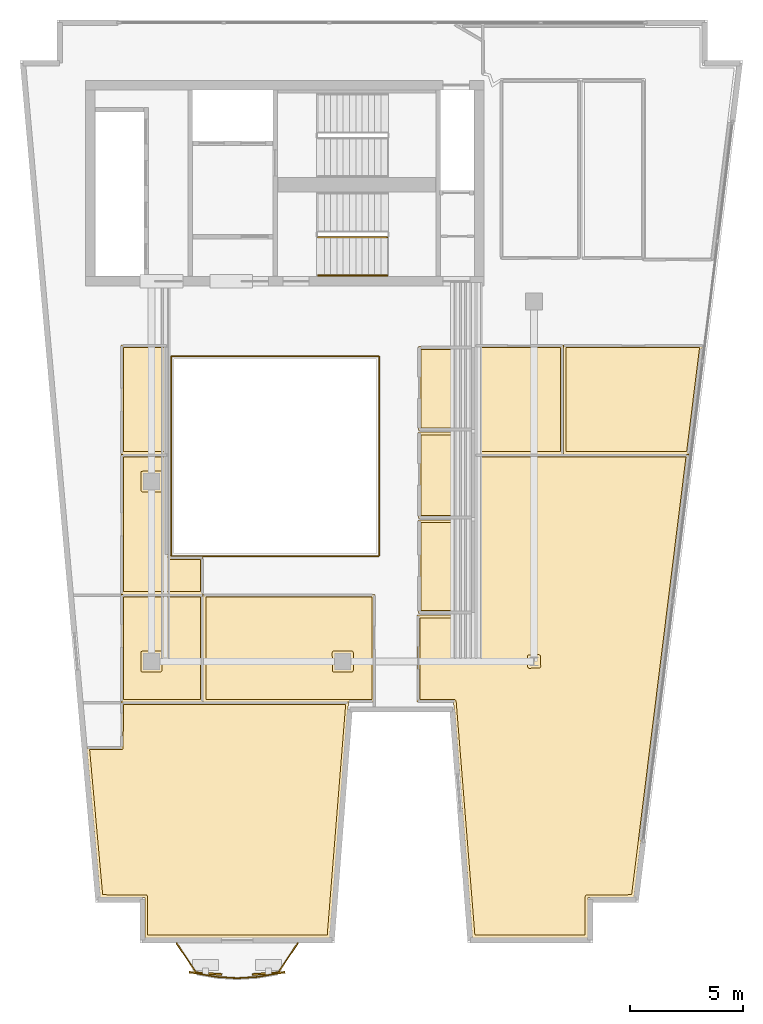
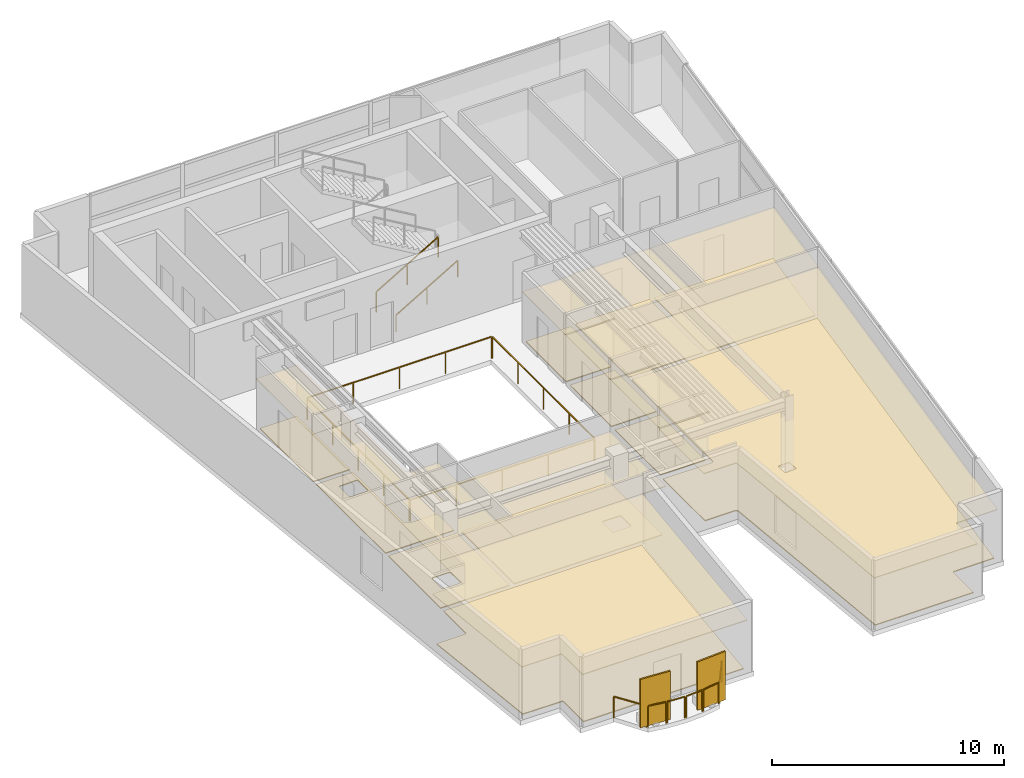
# One storey, part 7 of 8: 22 coverings, 12 railings, 2 shading devices.
"""IFC4 building model written with IfcOpenShell, lengths in metres."""

from ifc_helpers import new_model, si_unit, direction, frame, origin, origin_2d, place, context, subcontext, project, spatial, polyline, rectangle, outline, extrude, material, layer, layer_set, type_object, element, save


model = new_model("IFC4")

# Units and contexts
model_context = context("Model", 3, precision=1e-05, world=origin(), true_north=direction((0.0, 1.0)))
body_context = subcontext(model_context, "Body", "Model", "MODEL_VIEW")
ifc_project = project(units=[si_unit("LENGTHUNIT", "METRE"), si_unit("AREAUNIT", "SQUARE_METRE"), si_unit("VOLUMEUNIT", "CUBIC_METRE"), si_unit("PLANEANGLEUNIT", "RADIAN"), si_unit("MASSUNIT", "GRAM", prefix="KILO")], contexts=[model_context])

# Site, building, storey
site_placement = place(None, origin())
site = spatial("IfcSite", under=ifc_project, at=site_placement, CompositionType="ELEMENT")
building_placement = place(site_placement, origin())
building = spatial("IfcBuilding", under=site, at=building_placement, Name="Caeloran Harvest Quay", CompositionType="ELEMENT")
storey_placement = place(building_placement, frame((0.0, 0.0, 272.5)))
storey = spatial("IfcBuildingStorey", under=building, at=storey_placement, Name="L65", CompositionType="ELEMENT", Elevation=272.5)

# Coverings
ifc_material_1 = material(Name="Perforated Mineral-Fibre Acoustic Ceiling Tile", Category="ceiling")
ifc_layer_1 = layer(ifc_material_1, 0.0400390625, Name="Perforated Mineral-Fibre Acoustic Ceiling Tile")
ifc_layer_set_1 = layer_set([ifc_layer_1], Name="Perforated Mineral-Fibre Acoustic Ceiling Tile")
covering_type_1 = type_object("IfcCoveringType", Name="COV-CEILING-ACOUSTIC", PredefinedType="CEILING", material=ifc_layer_set_1)
covering_1_placement = place(storey_placement, frame((0.0, 0.0, 2.60009765625)))
element("IfcCovering", 1, at=covering_1_placement, inside=storey, type_object=covering_type_1, Name="L65 Male Washroom WC Acoustic Ceiling", PredefinedType="CEILING", context=body_context, shape_type="SweptSolid", body=[
    extrude(outline(polyline([(22.840087890625, 28.989990234375), (22.840087890625, 25.260009765625), (20.360107421875, 25.260009765625), (20.360107421875, 28.989990234375), (22.840087890625, 28.989990234375)])), origin(), (0.0, 0.0, 1.0), 0.039794921875),
])
covering_2_placement = place(storey_placement, frame((0.0, 0.0, 2.60009765625)))
element("IfcCovering", 2, at=covering_2_placement, inside=storey, type_object=covering_type_1, Name="L65 Female Washroom WC Acoustic Ceiling", PredefinedType="CEILING", context=body_context, shape_type="SweptSolid", body=[
    extrude(outline(polyline([(22.840087890625, 25.18994140625), (22.840087890625, 21.360107421875), (20.360107421875, 21.360107421875), (20.360107421875, 25.18994140625), (22.840087890625, 25.18994140625)])), origin(), (0.0, 0.0, 1.0), 0.039794921875),
])
covering_3_placement = place(storey_placement, frame((0.0, 0.0, 2.60009765625)))
element("IfcCovering", 3, at=covering_3_placement, inside=storey, type_object=covering_type_1, Name="L65 Accessible Unisex Washroom WC Acoustic Ceiling", PredefinedType="CEILING", context=body_context, shape_type="SweptSolid", body=[
    extrude(outline(polyline([(22.840087890625, 21.2900390625), (22.840087890625, 17.139892578125), (20.360107421875, 17.139892578125), (20.360107421875, 21.2900390625), (22.840087890625, 21.2900390625)])), origin(), (0.0, 0.0, 1.0), 0.039794921875),
])
covering_4_placement = place(storey_placement, frame((0.0, 0.0, 2.60009765625)))
element("IfcCovering", 4, at=covering_4_placement, inside=storey, type_object=covering_type_1, Name="Climate Diplomacy Seminar Hall Acoustic Ceiling", PredefinedType="CEILING", context=body_context, shape_type="SweptSolid", body=[
    extrude(outline(polyline([(17.259033203125, 13.199951171875), (16.4208984375, 2.719970703125), (8.20556640625, 2.719970703125), (8.20556640625, 4.52001953125), (6.224853515625, 4.52001953125), (5.623291015625, 11.2099609375), (7.139892578125, 11.2099609375), (7.139892578125, 13.199951171875), (17.259033203125, 13.199951171875)])), origin(), (0.0, 0.0, 1.0), 0.039794921875),
])
covering_5_placement = place(storey_placement, frame((0.0, 0.0, 2.60009765625)))
element("IfcCovering", 5, at=covering_5_placement, inside=storey, type_object=covering_type_1, Name="International Policy Conference Room Acoustic Ceiling", PredefinedType="CEILING", context=body_context, shape_type="SweptSolid", body=[
    extrude(outline(polyline([(29.939453125, 4.52001953125), (27.890380859375, 4.52001953125), (27.890380859375, 2.719970703125), (22.75927734375, 2.719970703125), (21.97509765625, 12.76611328125), (21.94873046875, 12.856201171875), (21.92138671875, 13.199951171875), (20.31005859375, 13.199951171875), (20.31005859375, 17.06005859375), (22.840087890625, 17.06005859375), (22.8701171875, 24.199951171875), (32.382568359375, 24.199951171875), (29.939453125, 4.52001953125)])), origin(), (0.0, 0.0, 1.0), 0.039794921875),
])
covering_6_placement = place(storey_placement, frame((0.0, 0.0, 2.60009765625)))
element("IfcCovering", 6, at=covering_6_placement, inside=storey, type_object=covering_type_1, Name="Translation Briefing Room Acoustic Ceiling", PredefinedType="CEILING", context=body_context, shape_type="SweptSolid", body=[
    extrude(outline(polyline([(7.139892578125, 17.97998046875), (10.800048828125, 17.97998046875), (10.800048828125, 13.199951171875), (7.139892578125, 13.199951171875), (7.139892578125, 17.97998046875)])), origin(), (0.0, 0.0, 1.0), 0.039794921875),
])
covering_7_placement = place(storey_placement, frame((0.0, 0.0, 2.60009765625)))
element("IfcCovering", 7, at=covering_7_placement, inside=storey, type_object=covering_type_1, Name="Treaty Archive Library Room Acoustic Ceiling", PredefinedType="CEILING", context=body_context, shape_type="SweptSolid", body=[
    extrude(outline(polyline([(18.429931640625, 13.199951171875), (10.800048828125, 13.199951171875), (10.800048828125, 17.97998046875), (18.429931640625, 17.97998046875), (18.429931640625, 13.199951171875)])), origin(), (0.0, 0.0, 1.0), 0.039794921875),
])
covering_8_placement = place(storey_placement, frame((0.0, 0.0, 2.60009765625)))
element("IfcCovering", 8, at=covering_8_placement, inside=storey, type_object=covering_type_1, Name="Delegation Dining Kitchen Acoustic Ceiling", PredefinedType="CEILING", context=body_context, shape_type="SweptSolid", body=[
    extrude(outline(polyline([(9.2099609375, 19.760009765625), (9.30517578125, 19.744384765625), (9.360107421875, 19.68359375), (9.360107421875, 19.659912109375), (10.800048828125, 19.659912109375), (10.800048828125, 17.97998046875), (7.139892578125, 17.97998046875), (7.139892578125, 24.199951171875), (9.2099609375, 24.199951171875), (9.2099609375, 19.760009765625)])), origin(), (0.0, 0.0, 1.0), 0.039794921875),
])
covering_9_placement = place(storey_placement, frame((0.0, 0.0, 2.60009765625)))
element("IfcCovering", 9, at=covering_9_placement, inside=storey, type_object=covering_type_1, Name="Diplomatic Catering Kitchen Acoustic Ceiling", PredefinedType="CEILING", context=body_context, shape_type="SweptSolid", body=[
    extrude(outline(polyline([(7.139892578125, 24.199951171875), (7.139892578125, 29.06005859375), (9.2099609375, 29.06005859375), (9.2099609375, 24.199951171875), (7.139892578125, 24.199951171875)])), origin(), (0.0, 0.0, 1.0), 0.039794921875),
])
covering_10_placement = place(storey_placement, frame((0.0, 0.0, 2.60009765625)))
element("IfcCovering", 10, at=covering_10_placement, inside=storey, type_object=covering_type_1, Name="Embassy Wellness Lounge Acoustic Ceiling", PredefinedType="CEILING", context=body_context, shape_type="SweptSolid", body=[
    extrude(outline(polyline([(22.8701171875, 24.199951171875), (22.8701171875, 29.06005859375), (26.800048828125, 29.06005859375), (26.800048828125, 24.199951171875), (22.8701171875, 24.199951171875)])), origin(), (0.0, 0.0, 1.0), 0.039794921875),
])
covering_11_placement = place(storey_placement, frame((0.0, 0.0, 2.60009765625)))
element("IfcCovering", 11, at=covering_11_placement, inside=storey, type_object=covering_type_1, Name="Climate Diplomacy Seminar Hall 8 Acoustic Ceiling", PredefinedType="CEILING", context=body_context, shape_type="SweptSolid", body=[
    extrude(outline(polyline([(26.800048828125, 29.06005859375), (32.98583984375, 29.06005859375), (32.382568359375, 24.199951171875), (26.800048828125, 24.199951171875), (26.800048828125, 29.06005859375)])), origin(), (0.0, 0.0, 1.0), 0.039794921875),
])
ifc_material_2 = material(Name="Calcium-Sulphate Raised Access Floor and Terrazzo Finish", Category="flooring")
ifc_layer_2 = layer(ifc_material_2, 0.050048828125, Name="Calcium-Sulphate Raised Access Floor and Terrazzo Finish")
ifc_layer_set_2 = layer_set([ifc_layer_2], Name="Calcium-Sulphate Raised Access Floor and Terrazzo Finish")
covering_type_2 = type_object("IfcCoveringType", Name="COV-FLOOR-RAISED", PredefinedType="FLOORING", material=ifc_layer_set_2)
covering_12_placement = place(storey_placement, origin())
element("IfcCovering", 12, at=covering_12_placement, inside=storey, type_object=covering_type_2, Name="L65 Male Washroom WC Raised Finish Flooring", PredefinedType="FLOORING", context=body_context, shape_type="SweptSolid", body=[
    extrude(outline(polyline([(22.719970703125, 28.8701171875), (22.719970703125, 25.3798828125), (20.47998046875, 25.3798828125), (20.47998046875, 28.8701171875), (22.719970703125, 28.8701171875)])), origin(), (0.0, 0.0, 1.0), 0.050048828125),
])
covering_13_placement = place(storey_placement, origin())
element("IfcCovering", 13, at=covering_13_placement, inside=storey, type_object=covering_type_2, Name="L65 Female Washroom WC Raised Finish Flooring", PredefinedType="FLOORING", context=body_context, shape_type="SweptSolid", body=[
    extrude(outline(polyline([(22.719970703125, 25.070068359375), (22.719970703125, 21.47998046875), (20.47998046875, 21.47998046875), (20.47998046875, 25.070068359375), (22.719970703125, 25.070068359375)])), origin(), (0.0, 0.0, 1.0), 0.050048828125),
])
covering_14_placement = place(storey_placement, origin())
element("IfcCovering", 14, at=covering_14_placement, inside=storey, type_object=covering_type_2, Name="L65 Accessible Unisex Washroom WC Raised Finish Flooring", PredefinedType="FLOORING", context=body_context, shape_type="SweptSolid", body=[
    extrude(outline(polyline([(22.719970703125, 21.169921875), (22.719970703125, 17.260009765625), (20.47998046875, 17.260009765625), (20.47998046875, 21.169921875), (22.719970703125, 21.169921875)])), origin(), (0.0, 0.0, 1.0), 0.050048828125),
])
covering_15_placement = place(storey_placement, origin())
element("IfcCovering", 15, at=covering_15_placement, inside=storey, type_object=covering_type_2, Name="Climate Diplomacy Seminar Hall Raised Finish Flooring", PredefinedType="FLOORING", context=body_context, shape_type="SweptSolid", body=[
    extrude(outline(polyline([(17.129150390625, 13.080078125), (16.31005859375, 2.840087890625), (8.325439453125, 2.840087890625), (8.325439453125, 4.56005859375), (8.29638671875, 4.621826171875), (6.33447265625, 4.639892578125), (5.754638671875, 11.090087890625), (7.179931640625, 11.090087890625), (7.24169921875, 11.119140625), (7.260009765625, 13.080078125), (17.129150390625, 13.080078125)])), origin(), (0.0, 0.0, 1.0), 0.050048828125),
])
covering_16_placement = place(storey_placement, origin())
element("IfcCovering", 16, at=covering_16_placement, inside=storey, type_object=covering_type_2, Name="International Policy Conference Room Raised Finish Flooring", PredefinedType="FLOORING", context=body_context, shape_type="SweptSolid", body=[
    extrude(outline(polyline([(32.24658203125, 24.080078125), (29.83349609375, 4.639892578125), (27.7998046875, 4.621826171875), (27.7705078125, 4.56005859375), (27.7705078125, 2.840087890625), (22.8701171875, 2.840087890625), (22.036865234375, 13.25439453125), (21.958251953125, 13.320068359375), (20.429931640625, 13.320068359375), (20.429931640625, 16.93994140625), (22.8798828125, 16.93994140625), (22.95654296875, 16.99658203125), (22.98974609375, 24.080078125), (32.24658203125, 24.080078125)]), holes=[polyline([(25.202392578125, 15.230712890625), (25.22021484375, 14.726318359375), (25.274169921875, 14.697509765625), (25.768798828125, 14.715087890625), (25.798095703125, 14.777099609375), (25.77978515625, 15.273681640625), (25.718017578125, 15.302978515625), (25.231201171875, 15.284912109375), (25.202392578125, 15.230712890625)])]), origin(), (0.0, 0.0, 1.0), 0.050048828125),
])
covering_17_placement = place(storey_placement, origin())
element("IfcCovering", 17, at=covering_17_placement, inside=storey, type_object=covering_type_2, Name="Translation Briefing Room Raised Finish Flooring", PredefinedType="FLOORING", context=body_context, shape_type="SweptSolid", body=[
    extrude(outline(polyline([(7.260009765625, 13.320068359375), (7.260009765625, 17.860107421875), (10.679931640625, 17.860107421875), (10.679931640625, 13.320068359375), (7.260009765625, 13.320068359375)]), holes=[polyline([(8.030029296875, 14.610107421875), (8.053466796875, 14.553466796875), (8.102294921875, 14.530517578125), (8.889892578125, 14.530029296875), (8.946533203125, 14.553466796875), (8.969970703125, 14.610107421875), (8.969970703125, 15.389892578125), (8.946533203125, 15.446533203125), (8.889892578125, 15.469970703125), (8.110107421875, 15.469970703125), (8.053466796875, 15.446533203125), (8.030029296875, 15.389892578125), (8.030029296875, 14.610107421875)])]), origin(), (0.0, 0.0, 1.0), 0.050048828125),
])
covering_18_placement = place(storey_placement, origin())
element("IfcCovering", 18, at=covering_18_placement, inside=storey, type_object=covering_type_2, Name="Treaty Archive Library Room Raised Finish Flooring", PredefinedType="FLOORING", context=body_context, shape_type="SweptSolid", body=[
    extrude(outline(polyline([(18.31005859375, 17.860107421875), (18.31005859375, 13.320068359375), (10.919921875, 13.320068359375), (10.919921875, 17.860107421875), (18.31005859375, 17.860107421875)]), holes=[polyline([(16.530029296875, 15.389892578125), (16.548095703125, 14.55908203125), (16.602294921875, 14.530517578125), (17.389892578125, 14.530029296875), (17.446533203125, 14.553466796875), (17.469970703125, 14.610107421875), (17.469970703125, 15.389892578125), (17.446533203125, 15.446533203125), (17.389892578125, 15.469970703125), (16.610107421875, 15.469970703125), (16.553466796875, 15.446533203125), (16.530029296875, 15.389892578125)])]), origin(), (0.0, 0.0, 1.0), 0.050048828125),
])
covering_19_placement = place(storey_placement, origin())
element("IfcCovering", 19, at=covering_19_placement, inside=storey, type_object=covering_type_2, Name="Delegation Dining Kitchen Raised Finish Flooring", PredefinedType="FLOORING", context=body_context, shape_type="SweptSolid", body=[
    extrude(outline(polyline([(9.237548828125, 19.639892578125), (9.275146484375, 19.569580078125), (9.343017578125, 19.540283203125), (10.679931640625, 19.5400390625), (10.679931640625, 18.10009765625), (7.260009765625, 18.10009765625), (7.260009765625, 24.080078125), (9.090087890625, 24.080078125), (9.090087890625, 19.74609375), (9.1357421875, 19.660888671875), (9.237548828125, 19.639892578125)]), holes=[polyline([(8.889892578125, 23.469970703125), (8.05908203125, 23.451904296875), (8.030517578125, 23.397705078125), (8.030029296875, 22.610107421875), (8.053466796875, 22.553466796875), (8.110107421875, 22.530029296875), (8.889892578125, 22.530029296875), (8.946533203125, 22.553466796875), (8.969970703125, 22.610107421875), (8.969970703125, 23.389892578125), (8.946533203125, 23.446533203125), (8.889892578125, 23.469970703125)])]), origin(), (0.0, 0.0, 1.0), 0.050048828125),
])
covering_20_placement = place(storey_placement, origin())
element("IfcCovering", 20, at=covering_20_placement, inside=storey, type_object=covering_type_2, Name="Diplomatic Catering Kitchen Raised Finish Flooring", PredefinedType="FLOORING", context=body_context, shape_type="SweptSolid", body=[
    extrude(outline(polyline([(7.260009765625, 24.320068359375), (7.260009765625, 28.93994140625), (9.090087890625, 28.93994140625), (9.090087890625, 24.320068359375), (7.260009765625, 24.320068359375)])), origin(), (0.0, 0.0, 1.0), 0.050048828125),
])
covering_21_placement = place(storey_placement, origin())
element("IfcCovering", 21, at=covering_21_placement, inside=storey, type_object=covering_type_2, Name="Embassy Wellness Lounge Raised Finish Flooring", PredefinedType="FLOORING", context=body_context, shape_type="SweptSolid", body=[
    extrude(outline(polyline([(22.989990234375, 24.320068359375), (22.989990234375, 28.93994140625), (26.679931640625, 28.93994140625), (26.679931640625, 24.320068359375), (22.989990234375, 24.320068359375)])), origin(), (0.0, 0.0, 1.0), 0.050048828125),
])
covering_22_placement = place(storey_placement, origin())
element("IfcCovering", 22, at=covering_22_placement, inside=storey, type_object=covering_type_2, Name="Climate Diplomacy Seminar Hall 8 Raised Finish Flooring", PredefinedType="FLOORING", context=body_context, shape_type="SweptSolid", body=[
    extrude(outline(polyline([(26.919921875, 28.93994140625), (32.85009765625, 28.93994140625), (32.276611328125, 24.320068359375), (26.919921875, 24.320068359375), (26.919921875, 28.93994140625)])), origin(), (0.0, 0.0, 1.0), 0.050048828125),
])

# Railings
ifc_material_3 = material(Name="Powder-Coated Steel Post and Laminated Glass Guardrail", Category="steel")
ifc_layer_3 = layer(ifc_material_3, 0.06005859375, Name="Powder-Coated Steel Post and Laminated Glass Guardrail")
ifc_layer_set_3 = layer_set([ifc_layer_3], Name="Powder-Coated Steel Post and Laminated Glass Guardrail")
railing_type_1 = type_object("IfcRailingType", Name="GUARD-ATRIUM-1150", PredefinedType="GUARDRAIL", material=ifc_layer_set_3)
railing_1_placement = place(storey_placement, frame((9.412109375, 19.679931640625, 0.0)))
element("IfcRailing", 23, at=railing_1_placement, inside=storey, type_object=railing_type_1, Name="L65 Skylit Atrium Void Perimeter Guardrail Seg 1", PredefinedType="GUARDRAIL", context=body_context, shape_type="SweptSolid", body=[
    extrude(rectangle(XDim=0.048095703125, YDim=0.048095703125, at=origin_2d()), frame((0.0, 0.0, 1.1259765625), z_axis=(1.0, 0.0, 0.0), x_axis=(0.0, 1.0, 0.0)), (0.0, 0.0, 1.0), 9.17578125),
    extrude(rectangle(XDim=0.0419921875, YDim=0.0419921875, at=origin_2d()), origin(), (0.0, 0.0, 1.0), 1.101806640625),
    extrude(rectangle(XDim=0.0419921875, YDim=0.0419921875, at=origin_2d()), frame((2.2939453125, 0.0, 0.0)), (0.0, 0.0, 1.0), 1.101806640625),
    extrude(rectangle(XDim=0.0419921875, YDim=0.0419921875, at=origin_2d()), frame((4.587890625, 0.0, 0.0)), (0.0, 0.0, 1.0), 1.101806640625),
    extrude(rectangle(XDim=0.0419921875, YDim=0.0419921875, at=origin_2d()), frame((6.8818359375, 0.0, 0.0)), (0.0, 0.0, 1.0), 1.101806640625),
    extrude(rectangle(XDim=0.0419921875, YDim=0.0419921875, at=origin_2d()), frame((9.17578125, 0.0, 0.0)), (0.0, 0.0, 1.0), 1.101806640625),
])
railing_2_placement = place(storey_placement, frame((18.6201171875, 19.7119140625, 0.0)))
element("IfcRailing", 24, at=railing_2_placement, inside=storey, type_object=railing_type_1, Name="L65 Skylit Atrium Void Perimeter Guardrail Seg 2", PredefinedType="GUARDRAIL", context=body_context, shape_type="SweptSolid", body=[
    extrude(rectangle(XDim=0.048095703125, YDim=0.048095703125, at=origin_2d()), frame((0.0, 0.0, 1.1259765625), z_axis=(0.0, 1.0, 0.0), x_axis=(-1.0, 0.0, 0.0)), (0.0, 0.0, 1.0), 8.826171875),
    extrude(rectangle(XDim=0.0419921875, YDim=0.0419921875, at=origin_2d()), origin(), (0.0, 0.0, 1.0), 1.101806640625),
    extrude(rectangle(XDim=0.0419921875, YDim=0.0419921875, at=origin_2d()), frame((0.0, 2.20654296875, 0.0)), (0.0, 0.0, 1.0), 1.101806640625),
    extrude(rectangle(XDim=0.0419921875, YDim=0.0419921875, at=origin_2d()), frame((0.0, 4.4130859375, 0.0)), (0.0, 0.0, 1.0), 1.101806640625),
    extrude(rectangle(XDim=0.0419921875, YDim=0.0419921875, at=origin_2d()), frame((0.0, 6.61962890625, 0.0)), (0.0, 0.0, 1.0), 1.101806640625),
    extrude(rectangle(XDim=0.0419921875, YDim=0.0419921875, at=origin_2d()), frame((0.0, 8.826171875, 0.0)), (0.0, 0.0, 1.0), 1.101806640625),
])
railing_3_placement = place(storey_placement, frame((18.587890625, 28.570068359375, 0.0)))
element("IfcRailing", 25, at=railing_3_placement, inside=storey, type_object=railing_type_1, Name="L65 Skylit Atrium Void Perimeter Guardrail Seg 3", PredefinedType="GUARDRAIL", context=body_context, shape_type="SweptSolid", body=[
    extrude(rectangle(XDim=0.048095703125, YDim=0.048095703125, at=origin_2d()), frame((0.0, 0.0, 1.1259765625), z_axis=(-1.0, 0.0, 0.0), x_axis=(0.0, -1.0, 0.0)), (0.0, 0.0, 1.0), 9.17578125),
    extrude(rectangle(XDim=0.0419921875, YDim=0.0419921875, at=origin_2d()), origin(), (0.0, 0.0, 1.0), 1.101806640625),
    extrude(rectangle(XDim=0.0419921875, YDim=0.0419921875, at=origin_2d()), frame((-2.2939453125, 0.0, 0.0)), (0.0, 0.0, 1.0), 1.101806640625),
    extrude(rectangle(XDim=0.0419921875, YDim=0.0419921875, at=origin_2d()), frame((-4.587890625, 0.0, 0.0)), (0.0, 0.0, 1.0), 1.101806640625),
    extrude(rectangle(XDim=0.0419921875, YDim=0.0419921875, at=origin_2d()), frame((-6.8818359375, 0.0, 0.0)), (0.0, 0.0, 1.0), 1.101806640625),
    extrude(rectangle(XDim=0.0419921875, YDim=0.0419921875, at=origin_2d()), frame((-9.17578125, 0.0, 0.0)), (0.0, 0.0, 1.0), 1.101806640625),
])
railing_4_placement = place(storey_placement, frame((9.3798828125, 28.5380859375, 0.0)))
element("IfcRailing", 26, at=railing_4_placement, inside=storey, type_object=railing_type_1, Name="L65 Skylit Atrium Void Perimeter Guardrail Seg 4", PredefinedType="GUARDRAIL", context=body_context, shape_type="SweptSolid", body=[
    extrude(rectangle(XDim=0.048095703125, YDim=0.048095703125, at=origin_2d()), frame((0.0, 0.0, 1.1259765625), z_axis=(0.0, -1.0, 0.0), x_axis=(1.0, 0.0, 0.0)), (0.0, 0.0, 1.0), 8.826171875),
    extrude(rectangle(XDim=0.0419921875, YDim=0.0419921875, at=origin_2d()), origin(), (0.0, 0.0, 1.0), 1.101806640625),
    extrude(rectangle(XDim=0.0419921875, YDim=0.0419921875, at=origin_2d()), frame((0.0, -2.20654296875, 0.0)), (0.0, 0.0, 1.0), 1.101806640625),
    extrude(rectangle(XDim=0.0419921875, YDim=0.0419921875, at=origin_2d()), frame((0.0, -4.4130859375, 0.0)), (0.0, 0.0, 1.0), 1.101806640625),
    extrude(rectangle(XDim=0.0419921875, YDim=0.0419921875, at=origin_2d()), frame((0.0, -6.61962890625, 0.0)), (0.0, 0.0, 1.0), 1.101806640625),
    extrude(rectangle(XDim=0.0419921875, YDim=0.0419921875, at=origin_2d()), frame((0.0, -8.826171875, 0.0)), (0.0, 0.0, 1.0), 1.101806640625),
])
ifc_material_4 = material(Name="Laminated Safety Glass and Stainless Steel 316", Category="steel")
ifc_layer_4 = layer(ifc_material_4, 0.06005859375, Name="Laminated Safety Glass and Stainless Steel 316")
ifc_layer_set_4 = layer_set([ifc_layer_4], Name="Laminated Safety Glass and Stainless Steel 316")
railing_type_2 = type_object("IfcRailingType", Name="GUARD-BALUSTRADE-1150", PredefinedType="BALUSTRADE", material=ifc_layer_set_4)
railing_5_placement = place(storey_placement, frame((15.00048828125, 2.47998046875, 0.0)))
element("IfcRailing", 27, at=railing_5_placement, inside=storey, type_object=railing_type_2, Name="L65 Planted Balcony Perimeter Balustrade Guard Seg 1", PredefinedType="BALUSTRADE", context=body_context, shape_type="SweptSolid", body=[
    extrude(rectangle(XDim=0.048095703125, YDim=0.048095703125, at=origin_2d()), frame((0.0, 0.0, 1.1259765625), z_axis=(-0.556374863283, -0.830931412035, 0.0), x_axis=(0.830931412035, -0.556374863283, 0.0)), (0.0, 0.0, 1.0), 1.580078125),
    extrude(rectangle(XDim=0.0419921875, YDim=0.0419921875, at=origin_2d()), origin(), (0.0, 0.0, 1.0), 1.101806640625),
    extrude(rectangle(XDim=0.0419921875, YDim=0.0419921875, at=origin_2d()), frame((-0.879150390625, -1.31298828125, 0.0)), (0.0, 0.0, 1.0), 1.101806640625),
])
railing_6_placement = place(storey_placement, frame((14.072021484375, 1.135009765625, 0.0)))
element("IfcRailing", 28, at=railing_6_placement, inside=storey, type_object=railing_type_2, Name="L65 Planted Balcony Perimeter Balustrade Guard Seg 2", PredefinedType="BALUSTRADE", context=body_context, shape_type="SweptSolid", body=[
    extrude(rectangle(XDim=0.048095703125, YDim=0.048095703125, at=origin_2d()), frame((0.0, 0.0, 1.1259765625), z_axis=(-0.985699039369, -0.168515292445, 0.0), x_axis=(0.168515292445, -0.985699039369, 0.0)), (0.0, 0.0, 1.0), 0.84619140625),
    extrude(rectangle(XDim=0.0419921875, YDim=0.0419921875, at=origin_2d()), origin(), (0.0, 0.0, 1.0), 1.101806640625),
    extrude(rectangle(XDim=0.0419921875, YDim=0.0419921875, at=origin_2d()), frame((-0.833984375, -0.142578125, 0.0)), (0.0, 0.0, 1.0), 1.101806640625),
])
railing_7_placement = place(storey_placement, frame((13.174560546875, 0.985107421875, 0.0)))
element("IfcRailing", 29, at=railing_7_placement, inside=storey, type_object=railing_type_2, Name="L65 Planted Balcony Perimeter Balustrade Guard Seg 3", PredefinedType="BALUSTRADE", context=body_context, shape_type="SweptSolid", body=[
    extrude(rectangle(XDim=0.048095703125, YDim=0.048095703125, at=origin_2d()), frame((0.0, 0.0, 1.1259765625), z_axis=(-0.998058263601, -0.062287257588, 0.0), x_axis=(0.062287257588, -0.998058263601, 0.0)), (0.0, 0.0, 1.0), 0.8349609375),
    extrude(rectangle(XDim=0.0419921875, YDim=0.0419921875, at=origin_2d()), origin(), (0.0, 0.0, 1.0), 1.101806640625),
    extrude(rectangle(XDim=0.0419921875, YDim=0.0419921875, at=origin_2d()), frame((-0.833251953125, -0.052001953125, 0.0)), (0.0, 0.0, 1.0), 1.101806640625),
])
railing_8_placement = place(storey_placement, frame((12.277587890625, 0.93310546875, 0.0)))
element("IfcRailing", 30, at=railing_8_placement, inside=storey, type_object=railing_type_2, Name="L65 Planted Balcony Perimeter Balustrade Guard Seg 4", PredefinedType="BALUSTRADE", context=body_context, shape_type="SweptSolid", body=[
    extrude(rectangle(XDim=0.048095703125, YDim=0.048095703125, at=origin_2d()), frame((0.0, 0.0, 1.1259765625), z_axis=(-0.998058263601, 0.062287257588, 0.0), x_axis=(-0.062287257588, -0.998058263601, 0.0)), (0.0, 0.0, 1.0), 0.8349609375),
    extrude(rectangle(XDim=0.0419921875, YDim=0.0419921875, at=origin_2d()), origin(), (0.0, 0.0, 1.0), 1.101806640625),
    extrude(rectangle(XDim=0.0419921875, YDim=0.0419921875, at=origin_2d()), frame((-0.833251953125, 0.052001953125, 0.0)), (0.0, 0.0, 1.0), 1.101806640625),
])
railing_9_placement = place(storey_placement, frame((11.381103515625, 0.992431640625, 0.0)))
element("IfcRailing", 31, at=railing_9_placement, inside=storey, type_object=railing_type_2, Name="L65 Planted Balcony Perimeter Balustrade Guard Seg 5", PredefinedType="BALUSTRADE", context=body_context, shape_type="SweptSolid", body=[
    extrude(rectangle(XDim=0.048095703125, YDim=0.048095703125, at=origin_2d()), frame((0.0, 0.0, 1.1259765625), z_axis=(-0.985699039369, 0.168515292445, 0.0), x_axis=(-0.168515292445, -0.985699039369, 0.0)), (0.0, 0.0, 1.0), 0.84619140625),
    extrude(rectangle(XDim=0.0419921875, YDim=0.0419921875, at=origin_2d()), origin(), (0.0, 0.0, 1.0), 1.101806640625),
    extrude(rectangle(XDim=0.0419921875, YDim=0.0419921875, at=origin_2d()), frame((-0.833984375, 0.142578125, 0.0)), (0.0, 0.0, 1.0), 1.101806640625),
])
railing_10_placement = place(storey_placement, frame((10.497802734375, 1.1669921875, 0.0)))
element("IfcRailing", 32, at=railing_10_placement, inside=storey, type_object=railing_type_2, Name="L65 Planted Balcony Perimeter Balustrade Guard Seg 6", PredefinedType="BALUSTRADE", context=body_context, shape_type="SweptSolid", body=[
    extrude(rectangle(XDim=0.048095703125, YDim=0.048095703125, at=origin_2d()), frame((0.0, 0.0, 1.1259765625), z_axis=(-0.556481527496, 0.83085998192, 0.0), x_axis=(-0.83085998192, -0.556481527496, 0.0)), (0.0, 0.0, 1.0), 1.580322265625),
    extrude(rectangle(XDim=0.0419921875, YDim=0.0419921875, at=origin_2d()), origin(), (0.0, 0.0, 1.0), 1.101806640625),
    extrude(rectangle(XDim=0.0419921875, YDim=0.0419921875, at=origin_2d()), frame((-0.87939453125, 1.31298828125, 0.0)), (0.0, 0.0, 1.0), 1.101806640625),
])

# Shading devices
ifc_material_5 = material(Name="3003-H14 Perforated Powder-Coated Aluminium", Category="aluminium")
shading_device_type = type_object("IfcShadingDeviceType", Name="SHADE-SCREEN-FOLDED", PredefinedType="USERDEFINED", material=ifc_material_5)
for number, where, z_axis, x_axis, name in (
    (33, (13.708740234375, 1.144775390625, 0.0751953125), (0.0, 0.0, 1.0), (0.997801468292, 0.0662739004, 0.0), "L65 Folded Facade Breathing Screen 1"),
    (34, (10.91015625, 1.144775390625, 0.0751953125), (0.0, 0.0, 1.0), (0.997801468292, -0.0662739004, 0.0), "L65 Folded Facade Breathing Screen 2"),
):
    element("IfcShadingDevice", number, at=place(storey_placement, frame(where, z_axis=z_axis, x_axis=x_axis)), inside=storey, type_object=shading_device_type, Name=name, ObjectType="SCREEN", PredefinedType="USERDEFINED", context=body_context, shape_type="SweptSolid", body=[
        extrude(rectangle(XDim=1.449951171875, YDim=0.080078125, at=origin_2d()), origin(), (0.0, 0.0, 1.0), 2.550048828125),
    ])

# Railings
ifc_material_6 = material(Name="Painted Steel Baluster and Top-Rail Stair Guard", Category="steel")
ifc_layer_5 = layer(ifc_material_6, 0.050048828125, Name="Painted Steel Baluster and Top-Rail Stair Guard")
ifc_layer_set_5 = layer_set([ifc_layer_5], Name="Painted Steel Baluster and Top-Rail Stair Guard")
railing_type_3 = type_object("IfcRailingType", Name="STAIR-GUARD-1100", PredefinedType="GUARDRAIL", material=ifc_layer_set_5)
railing_11_placement = place(storey_placement, frame((15.89990234375, 33.85009765625, 0.16455078125)))
element("IfcRailing", 35, at=railing_11_placement, inside=storey, type_object=railing_type_3, Name="L65 ST-C2 stair guard 1", PredefinedType="GUARDRAIL", context=body_context, shape_type="SweptSolid", body=[
    extrude(rectangle(XDim=0.048095703125, YDim=0.048095703125, at=origin_2d()), frame((0.0, 0.0, 1.076171875), z_axis=(0.862088758681, 0.0, 0.506757310905), x_axis=(0.0, 1.0, 0.0)), (0.0, 0.0, 1.0), 3.57275390625),
    extrude(rectangle(XDim=0.0419921875, YDim=0.0419921875, at=origin_2d()), origin(), (0.0, 0.0, 1.0), 1.052001953125),
    extrude(rectangle(XDim=0.0419921875, YDim=0.0419921875, at=origin_2d()), frame((1.5400390625, 0.0, 0.9052734375)), (0.0, 0.0, 1.0), 1.052001953125),
    extrude(rectangle(XDim=0.0419921875, YDim=0.0419921875, at=origin_2d()), frame((3.080078125, 0.0, 1.810546875)), (0.0, 0.0, 1.0), 1.052001953125),
])
ifc_material_7 = material(Name="Brushed Stainless Steel Grade 304", Category="steel")
ifc_layer_6 = layer(ifc_material_7, 0.050048828125, Name="Brushed Stainless Steel Grade 304")
ifc_layer_set_6 = layer_set([ifc_layer_6], Name="Brushed Stainless Steel Grade 304")
railing_type_4 = type_object("IfcRailingType", Name="STAIR-HANDRAIL-900", PredefinedType="HANDRAIL", material=ifc_layer_set_6)
railing_12_placement = place(storey_placement, frame((15.89990234375, 32.14990234375, 0.16455078125)))
element("IfcRailing", 36, at=railing_12_placement, inside=storey, type_object=railing_type_4, Name="L65 ST-C2 stair handrail 1", PredefinedType="HANDRAIL", context=body_context, shape_type="SweptSolid", body=[
    extrude(rectangle(XDim=0.048095703125, YDim=0.048095703125, at=origin_2d()), frame((0.0, 0.0, 0.8759765625), z_axis=(0.862088758681, 0.0, 0.506757310905), x_axis=(0.0, 1.0, 0.0)), (0.0, 0.0, 1.0), 3.57275390625),
    extrude(rectangle(XDim=0.0419921875, YDim=0.0419921875, at=origin_2d()), origin(), (0.0, 0.0, 1.0), 0.851806640625),
    extrude(rectangle(XDim=0.0419921875, YDim=0.0419921875, at=origin_2d()), frame((1.5400390625, 0.0, 0.9052734375)), (0.0, 0.0, 1.0), 0.851806640625),
    extrude(rectangle(XDim=0.0419921875, YDim=0.0419921875, at=origin_2d()), frame((3.080078125, 0.0, 1.810546875)), (0.0, 0.0, 1.0), 0.851806640625),
])

save(model, "model.ifc")
